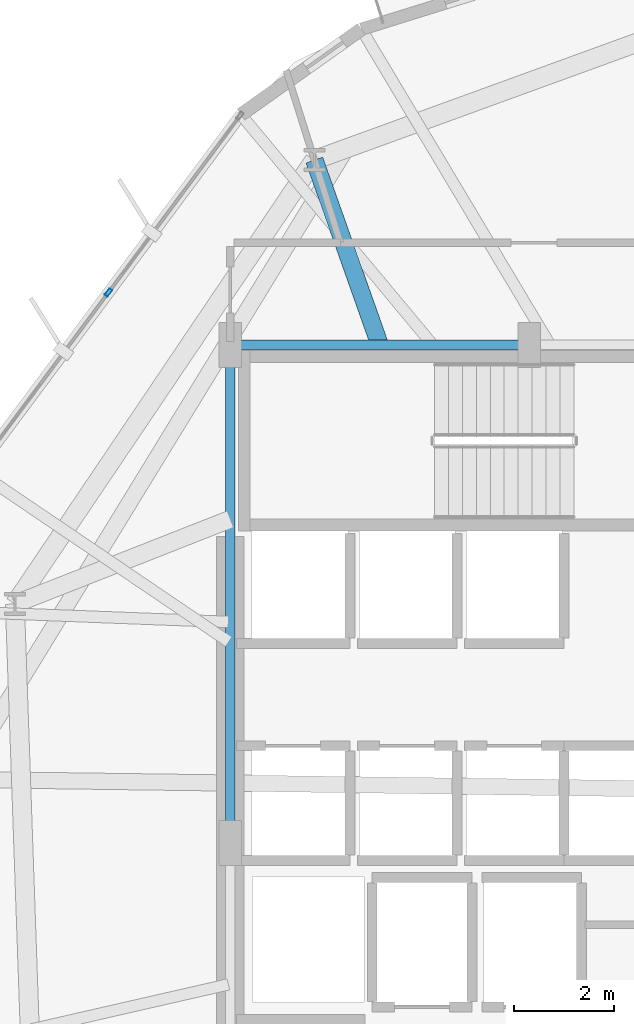
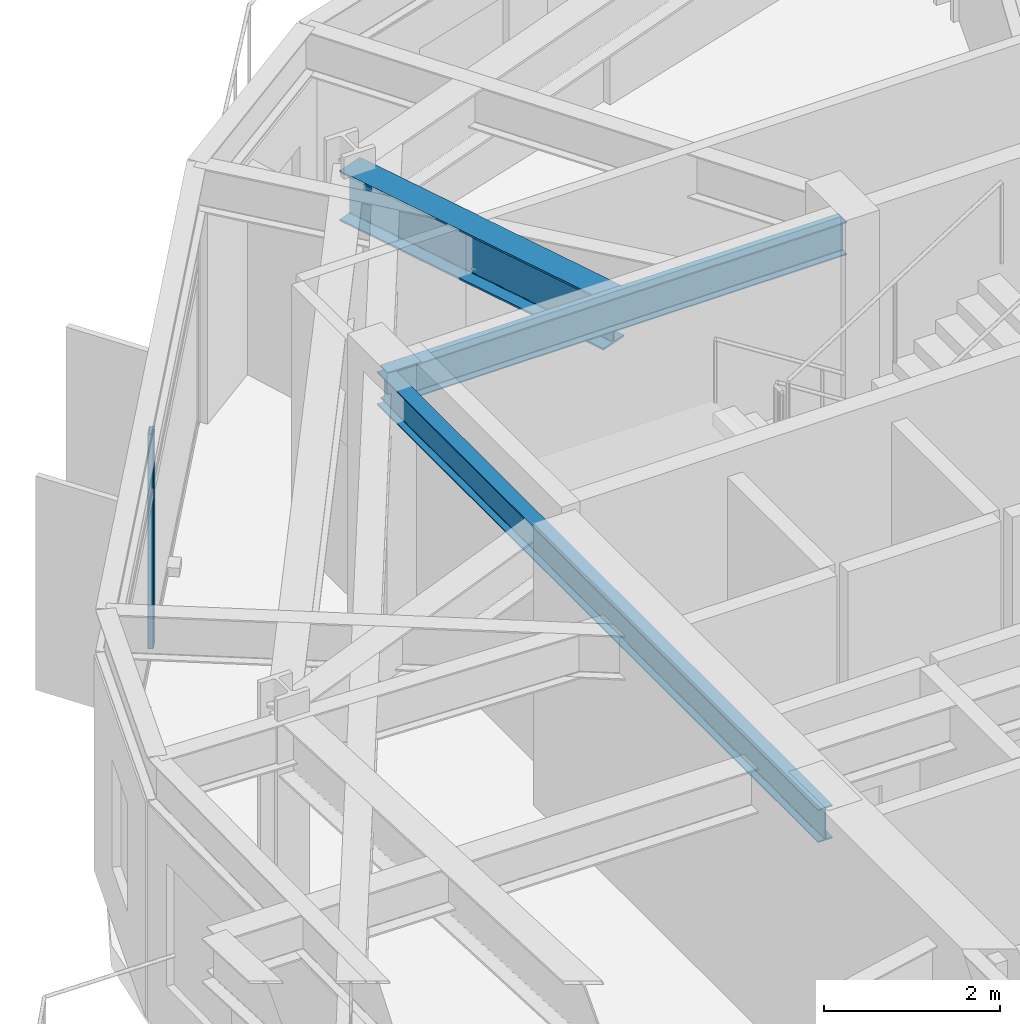
# One storey, part 9 of 27: 3 beams, 1 member, 1 element without a shape of its own.
"""IFC4 building model written with IfcOpenShell, lengths in metres."""

from ifc_helpers import new_model, si_unit, direction, frame, origin, origin_2d, place, context, subcontext, project, spatial, hollow_rectangle, i_section, extrude, material, layer, layer_set, material_profile, profile_set, type_object, element, aggregate, save


model = new_model("IFC4")

# Units and contexts
model_context = context("Model", 3, precision=1e-05, world=origin(), true_north=direction((0.0, 1.0)))
body_context = subcontext(model_context, "Body", "Model", "MODEL_VIEW")
ifc_project = project(units=[si_unit("LENGTHUNIT", "METRE"), si_unit("AREAUNIT", "SQUARE_METRE"), si_unit("VOLUMEUNIT", "CUBIC_METRE"), si_unit("PLANEANGLEUNIT", "RADIAN"), si_unit("MASSUNIT", "GRAM", prefix="KILO")], contexts=[model_context])

# Site, building, storey
site_placement = place(None, origin())
site = spatial("IfcSite", under=ifc_project, at=site_placement, CompositionType="ELEMENT")
building_placement = place(site_placement, origin())
building = spatial("IfcBuilding", under=site, at=building_placement, Name="Soratama Intermodal Tower", CompositionType="ELEMENT")
storey_placement = place(building_placement, frame((0.0, 0.0, 95.199951171875)))
storey = spatial("IfcBuildingStorey", under=building, at=storey_placement, Name="L22", CompositionType="ELEMENT", Elevation=95.199951171875)

# Beams
ifc_material_1 = material(Name="Structural steel ASTM A992 Grade 50", Category="steel")
ifc_material_profile_1 = material_profile(ifc_material_1, i_section(OverallWidth=0.19091796875, OverallDepth=0.4599609375, WebThickness=0.010009765625, FlangeThickness=0.01611328125, FilletRadius=0.010986328125, at=origin_2d()), Name="W18X55")
ifc_profile_set_1 = profile_set([ifc_material_profile_1], Name="Structural steel ASTM A992 Grade 50")
beam_type_1 = type_object("IfcBeamType", Name="BM-FLR-W18X55", PredefinedType="BEAM", material=ifc_profile_set_1)
beam_1_placement = place(storey_placement, frame((38.60009765625, 35.0, 3.3701171875), z_axis=(-1.0, 0.0, 0.0), x_axis=(0.0, -1.0, 0.0)))
element("IfcBeam", 1, at=beam_1_placement, inside=storey, type_object=beam_type_1, Name="BM-L22-CRING-07", PredefinedType="BEAM", context=body_context, shape_type="SweptSolid", body=[
    extrude(i_section(OverallWidth=0.19091796875, OverallDepth=0.4599609375, WebThickness=0.010009765625, FlangeThickness=0.01611328125, FilletRadius=0.010986328125, at=origin_2d()), origin(), (0.0, 0.0, 1.0), 6.0),
])
beam_2_placement = place(storey_placement, frame((32.60009765625, 35.0, 3.3701171875), z_axis=(0.0, -1.0, 0.0), x_axis=(1.0, 0.0, 0.0)))
element("IfcBeam", 2, at=beam_2_placement, inside=storey, type_object=beam_type_1, Name="BM-L22-CRING-08", PredefinedType="BEAM", context=body_context, shape_type="SweptSolid", body=[
    extrude(i_section(OverallWidth=0.19091796875, OverallDepth=0.4599609375, WebThickness=0.010009765625, FlangeThickness=0.01611328125, FilletRadius=0.010986328125, at=origin_2d()), origin(), (0.0, 0.0, 1.0), 10.0),
])
ifc_material_2 = material(Name="Structural steel ASTM A992 Grade 50", Category="steel")
ifc_material_profile_2 = material_profile(ifc_material_2, i_section(OverallWidth=0.35498046875, OverallDepth=0.695068359375, WebThickness=0.015380859375, FlangeThickness=0.02490234375, FilletRadius=0.01611328125, at=origin_2d()), Name="W27X146")
ifc_profile_set_2 = profile_set([ifc_material_profile_2], Name="Structural steel ASTM A992 Grade 50")
beam_type_2 = type_object("IfcBeamType", Name="BM-RING-W27X146", PredefinedType="BEAM", material=ifc_profile_set_2)
beam_3_placement = place(storey_placement, frame((35.60009765625, 35.0, 3.25244140625), z_axis=(-0.333332697239, 0.942809266475, 0.0), x_axis=(-0.942809266475, -0.333332697239, 0.0)))
element("IfcBeam", 3, at=beam_3_placement, inside=storey, type_object=beam_type_2, Name="BM-L22-RAD-04", PredefinedType="BEAM", context=body_context, shape_type="SweptSolid", body=[
    extrude(i_section(OverallWidth=0.35498046875, OverallDepth=0.695068359375, WebThickness=0.015380859375, FlangeThickness=0.02490234375, FilletRadius=0.01611328125, at=origin_2d()), origin(), (0.0, 0.0, 1.0), 3.93603515625),
])

# Curtain wall, member
ifc_material_3 = material(Name="Double-glazed aluminium curtain wall", Category="aluminium")
ifc_layer = layer(ifc_material_3, 0.159912109375)
ifc_layer_set = layer_set([ifc_layer], Name="Double-glazed aluminium curtain wall")
curtain_wall_type = type_object("IfcCurtainWallType", Name="CW-SYS-3", PredefinedType="NOTDEFINED", material=ifc_layer_set)
curtain_wall_placement = place(storey_placement, origin())
curtain_wall = element("IfcCurtainWall", 4, at=curtain_wall_placement, inside=storey, type_object=curtain_wall_type, Name="L22 Faceted Curtain Wall F04", PredefinedType="NOTDEFINED")
ifc_material_4 = material(Name="Anodised aluminium AA 6063-T6", Category="aluminium")
ifc_material_profile_3 = material_profile(ifc_material_4, hollow_rectangle(XDim=0.070068359375, YDim=0.159912109375, WallThickness=0.0048828125, InnerFilletRadius=0.0048828125, OuterFilletRadius=0.010009765625, at=origin_2d()), Name="CWM160X70X5")
ifc_profile_set_3 = profile_set([ifc_material_profile_3], Name="Anodised aluminium AA 6063-T6")
member_type = type_object("IfcMemberType", Name="MT-CWM-3", PredefinedType="MULLION", material=ifc_profile_set_3)
member_placement = place(storey_placement, frame((30.15234375, 36.051025390625, 0.0), z_axis=(0.0, 0.0, 1.0), x_axis=(0.802188958901, -0.597070242281, 0.0)))
member = element("IfcMember", 5, at=member_placement, type_object=member_type, Name="CW-3 mullion 2", PredefinedType="MULLION", context=body_context, shape_type="SweptSolid", body=[
    extrude(hollow_rectangle(XDim=0.070068359375, YDim=0.159912109375, WallThickness=0.0048828125, InnerFilletRadius=0.0048828125, OuterFilletRadius=0.010009765625, at=origin_2d()), origin(), (0.0, 0.0, 1.0), 2.97900390625),
])
aggregate(curtain_wall, [member])

save(model, "model.ifc")
